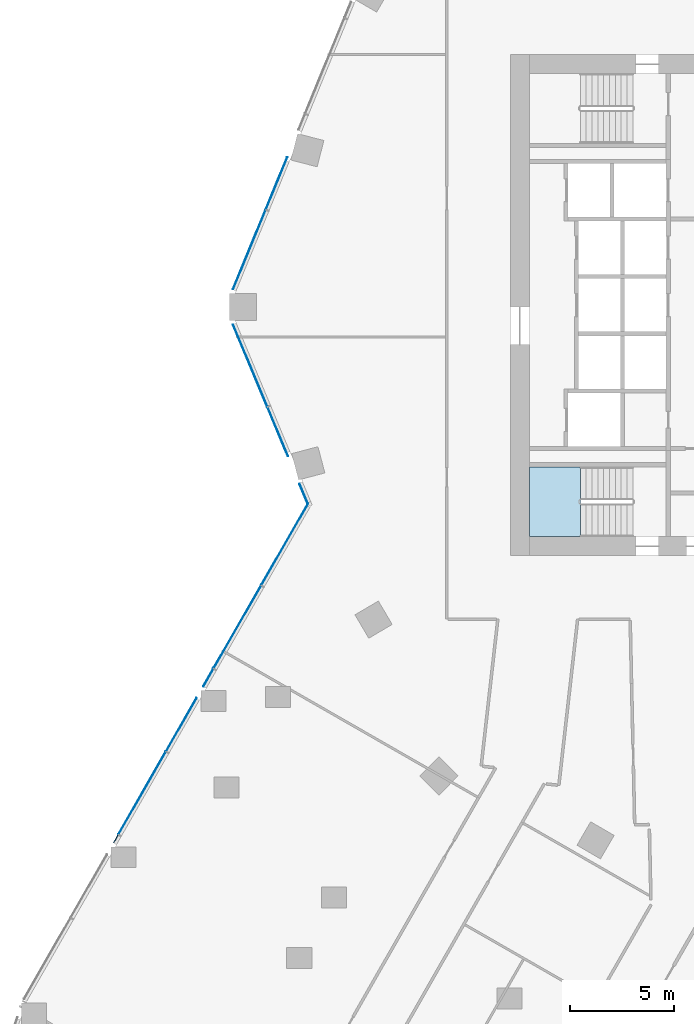
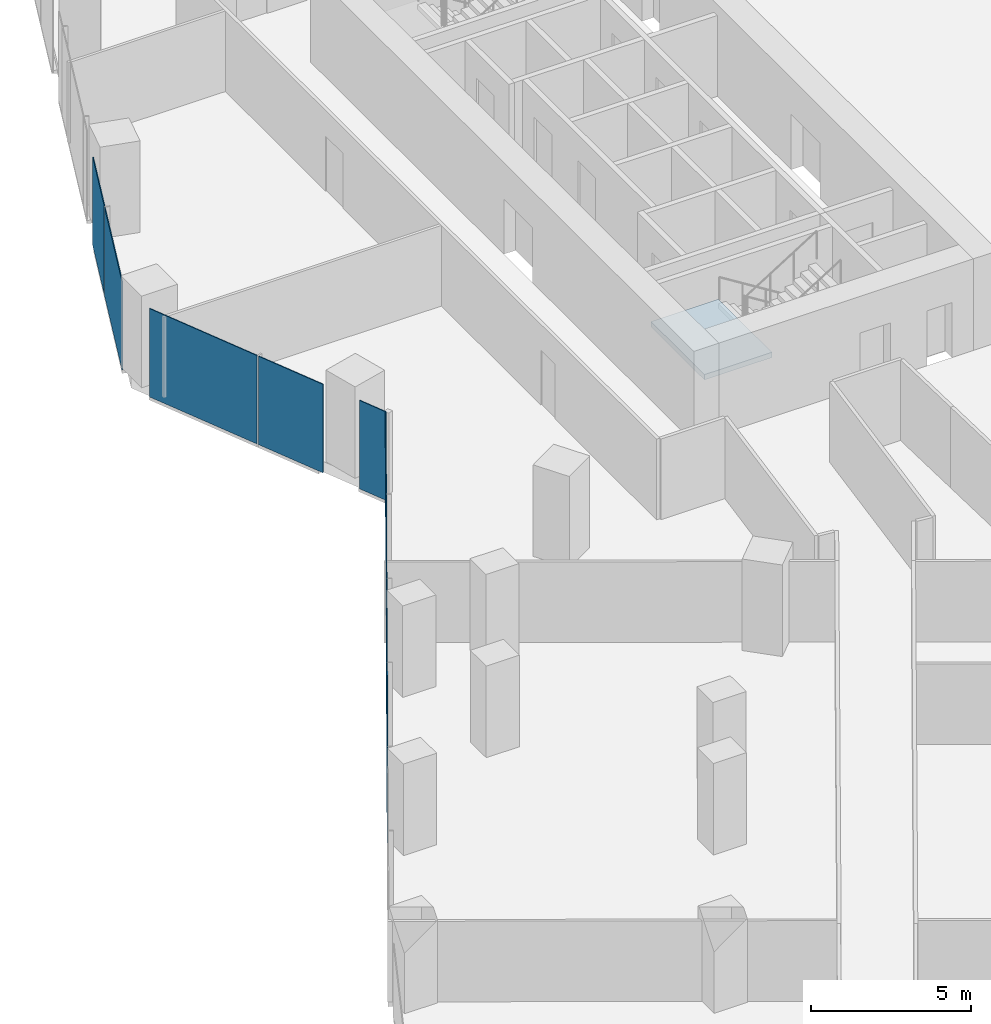
# One storey, part 20 of 34: 11 plates, 1 slab, 4 elements without a shape of their own.
"""IFC4 building model written with IfcOpenShell, lengths in metres."""

from ifc_helpers import new_model, si_unit, direction, frame, origin, origin_2d, place, context, subcontext, project, spatial, polyline, rectangle, outline, extrude, material, layer, layer_set, type_object, element, aggregate, save


model = new_model("IFC4")

# Units and contexts
model_context = context("Model", 3, precision=1e-05, world=origin(), true_north=direction((0.0, 1.0)))
body_context = subcontext(model_context, "Body", "Model", "MODEL_VIEW")
ifc_project = project(units=[si_unit("LENGTHUNIT", "METRE"), si_unit("AREAUNIT", "SQUARE_METRE"), si_unit("VOLUMEUNIT", "CUBIC_METRE"), si_unit("PLANEANGLEUNIT", "RADIAN"), si_unit("MASSUNIT", "GRAM", prefix="KILO")], contexts=[model_context])

# Site, building, storey
site_placement = place(None, origin())
site = spatial("IfcSite", under=ifc_project, at=site_placement, CompositionType="ELEMENT")
building_placement = place(site_placement, origin())
building = spatial("IfcBuilding", under=site, at=building_placement, Name="Orlundy Tower", CompositionType="ELEMENT")
storey_placement = place(building_placement, frame((0.0, 0.0, 112.699951171875)))
storey = spatial("IfcBuildingStorey", under=building, at=storey_placement, Name="L28", CompositionType="ELEMENT", Elevation=112.699951171875)

# Curtain wall, plates
ifc_material_1 = material(Name="Aluminium bronze anodised", Category="aluminium")
curtain_wall_type = type_object("IfcCurtainWallType", Name="CW1 wall", PredefinedType="NOTDEFINED", material=ifc_material_1)
curtain_wall_1_placement = place(storey_placement, origin())
curtain_wall_1 = element("IfcCurtainWall", 1, at=curtain_wall_1_placement, inside=storey, type_object=curtain_wall_type, Name="CW1 run 012", PredefinedType="NOTDEFINED")
ifc_material_2 = material(Name="Tinted glass", Category="glass")
ifc_layer_1 = layer(ifc_material_2, 0.031982421875)
ifc_layer_set_1 = layer_set([ifc_layer_1], Name="CW1 glass panel 32")
plate_type = type_object("IfcPlateType", Name="CW1 glass panel 32", PredefinedType="CURTAIN_PANEL", material=ifc_layer_set_1)
plate_1_placement = place(storey_placement, frame((-37.916259765625, -25.583984375, -0.27978515625), z_axis=(0.0, 0.0, 1.0), x_axis=(0.497468306172, 0.867482152182, 0.0)))
plate_1 = element("IfcPlate", 2, at=plate_1_placement, type_object=plate_type, Name="CW1 panel", PredefinedType="CURTAIN_PANEL", context=body_context, shape_type="SweptSolid", body=[
    extrude(rectangle(XDim=0.417236328125, YDim=0.031982421875, at=origin_2d()), origin(), (0.0, 0.0, 1.0), 3.3798828125),
])
plate_2_placement = place(storey_placement, frame((-36.65869140625, -23.39111328125, -0.27978515625), z_axis=(0.0, 0.0, 1.0), x_axis=(0.497468306172, 0.867482152182, 0.0)))
plate_2 = element("IfcPlate", 3, at=plate_2_placement, type_object=plate_type, Name="CW1 panel", PredefinedType="CURTAIN_PANEL", context=body_context, shape_type="SweptSolid", body=[
    extrude(rectangle(XDim=4.53857421875, YDim=0.031982421875, at=origin_2d()), origin(), (0.0, 0.0, 1.0), 3.3798828125),
])
plate_3_placement = place(storey_placement, frame((-34.775390625, -20.107177734375, -0.27978515625), z_axis=(0.0, 0.0, 1.0), x_axis=(0.497468306172, 0.867482152182, 0.0)))
plate_3 = element("IfcPlate", 4, at=plate_3_placement, type_object=plate_type, Name="CW1 panel", PredefinedType="CURTAIN_PANEL", context=body_context, shape_type="SweptSolid", body=[
    extrude(rectangle(XDim=2.9326171875, YDim=0.031982421875, at=origin_2d()), origin(), (0.0, 0.0, 1.0), 3.3798828125),
])
plate_4_placement = place(storey_placement, frame((-33.486083984375, -17.859130859375, -0.27978515625), z_axis=(0.0, 0.0, 1.0), x_axis=(0.497468306172, 0.867482152182, 0.0)))
plate_4 = element("IfcPlate", 5, at=plate_4_placement, type_object=plate_type, Name="CW1 panel", PredefinedType="CURTAIN_PANEL", context=body_context, shape_type="SweptSolid", body=[
    extrude(rectangle(XDim=0.961181640625, YDim=0.031982421875, at=origin_2d()), origin(), (0.0, 0.0, 1.0), 3.3798828125),
])
plate_5_placement = place(storey_placement, frame((-32.09326171875, -15.43017578125, -0.27978515625), z_axis=(0.0, 0.0, 1.0), x_axis=(0.497468306172, 0.867482152182, 0.0)))
plate_5 = element("IfcPlate", 6, at=plate_5_placement, type_object=plate_type, Name="CW1 panel", PredefinedType="CURTAIN_PANEL", context=body_context, shape_type="SweptSolid", body=[
    extrude(rectangle(XDim=4.53857421875, YDim=0.031982421875, at=origin_2d()), origin(), (0.0, 0.0, 1.0), 3.3798828125),
])
plate_6_placement = place(storey_placement, frame((-29.824462890625, -11.473876953125, -0.27978515625), z_axis=(0.0, 0.0, 1.0), x_axis=(0.497468306172, 0.867482152182, 0.0)))
plate_6 = element("IfcPlate", 7, at=plate_6_placement, type_object=plate_type, Name="CW1 panel", PredefinedType="CURTAIN_PANEL", context=body_context, shape_type="SweptSolid", body=[
    extrude(rectangle(XDim=4.482666015625, YDim=0.031982421875, at=origin_2d()), origin(), (0.0, 0.0, 1.0), 3.3798828125),
])
aggregate(curtain_wall_1, [plate_1, plate_2, plate_3, plate_4, plate_5, plate_6])

curtain_wall_2_placement = place(storey_placement, origin())
curtain_wall_2 = element("IfcCurtainWall", 8, at=curtain_wall_2_placement, inside=storey, type_object=curtain_wall_type, Name="CW1 run 013", PredefinedType="NOTDEFINED")
plate_7_placement = place(storey_placement, frame((-28.9091796875, -9.05126953125, -0.27978515625), z_axis=(0.0, 0.0, 1.0), x_axis=(-0.385343522299, 0.922773195223, 0.0)))
plate_7 = element("IfcPlate", 9, at=plate_7_placement, type_object=plate_type, Name="CW1 panel", PredefinedType="CURTAIN_PANEL", context=body_context, shape_type="SweptSolid", body=[
    extrude(rectangle(XDim=1.036865234375, YDim=0.031982421875, at=origin_2d()), origin(), (0.0, 0.0, 1.0), 3.3798828125),
])
plate_8_placement = place(storey_placement, frame((-30.1513671875, -6.07666015625, -0.27978515625), z_axis=(0.0, 0.0, 1.0), x_axis=(-0.385343522299, 0.922773195223, 0.0)))
plate_8 = element("IfcPlate", 10, at=plate_8_placement, type_object=plate_type, Name="CW1 panel", PredefinedType="CURTAIN_PANEL", context=body_context, shape_type="SweptSolid", body=[
    extrude(rectangle(XDim=2.542236328125, YDim=0.031982421875, at=origin_2d()), origin(), (0.0, 0.0, 1.0), 3.3798828125),
])
plate_9_placement = place(storey_placement, frame((-31.4775390625, -2.901123046875, -0.27978515625), z_axis=(0.0, 0.0, 1.0), x_axis=(-0.385343522299, 0.922773195223, 0.0)))
plate_9 = element("IfcPlate", 11, at=plate_9_placement, type_object=plate_type, Name="CW1 panel", PredefinedType="CURTAIN_PANEL", context=body_context, shape_type="SweptSolid", body=[
    extrude(rectangle(XDim=4.24072265625, YDim=0.031982421875, at=origin_2d()), origin(), (0.0, 0.0, 1.0), 3.3798828125),
])
aggregate(curtain_wall_2, [plate_7, plate_8, plate_9])

curtain_wall_3_placement = place(storey_placement, origin())
curtain_wall_3 = element("IfcCurtainWall", 12, at=curtain_wall_3_placement, inside=storey, type_object=curtain_wall_type, Name="CW1 run 014", PredefinedType="NOTDEFINED")
plate_10_placement = place(storey_placement, frame((-31.522216796875, 2.649169921875, -0.27978515625), z_axis=(0.0, 0.0, 1.0), x_axis=(0.380004927003, 0.924984462277, 0.0)))
plate_10 = element("IfcPlate", 13, at=plate_10_placement, type_object=plate_type, Name="CW1 panel", PredefinedType="CURTAIN_PANEL", context=body_context, shape_type="SweptSolid", body=[
    extrude(rectangle(XDim=4.09423828125, YDim=0.031982421875, at=origin_2d()), origin(), (0.0, 0.0, 1.0), 3.3798828125),
])
plate_11_placement = place(storey_placement, frame((-30.21337890625, 5.835205078125, -0.27978515625), z_axis=(0.0, 0.0, 1.0), x_axis=(0.380004927003, 0.924984462277, 0.0)))
plate_11 = element("IfcPlate", 14, at=plate_11_placement, type_object=plate_type, Name="CW1 panel", PredefinedType="CURTAIN_PANEL", context=body_context, shape_type="SweptSolid", body=[
    extrude(rectangle(XDim=2.694580078125, YDim=0.031982421875, at=origin_2d()), origin(), (0.0, 0.0, 1.0), 3.3798828125),
])
aggregate(curtain_wall_3, [plate_10, plate_11])

# Stair, slab
ifc_material_3 = material(Name="Concrete C50/60", Category="concrete")
stair_type = type_object("IfcStairType", Name="Exit Stair 20 risers", PredefinedType="HALF_TURN_STAIR", material=ifc_material_3)
stair_placement = place(storey_placement, origin())
stair = element("IfcStair", 15, at=stair_placement, inside=storey, type_object=stair_type, Name="L28 Exit Stair ST-W2", PredefinedType="HALF_TURN_STAIR")
ifc_material_4 = material(Name="Concrete C50/60", Category="concrete")
ifc_layer_2 = layer(ifc_material_4, 0.199951171875)
ifc_layer_set_2 = layer_set([ifc_layer_2], Name="Exit Stair Landing")
slab_type = type_object("IfcSlabType", Name="Exit Stair Landing", PredefinedType="LANDING", material=ifc_layer_set_2)
slab_placement = place(storey_placement, frame((0.0, 0.0, 1.550048828125)))
slab = element("IfcSlab", 16, at=slab_placement, type_object=slab_type, Name="ST-W2 landing 1", PredefinedType="LANDING", context=body_context, shape_type="SweptSolid", body=[
    extrude(outline(polyline([(-15.659912109375, -7.75), (-18.10009765625, -7.75), (-18.10009765625, -11.10009765625), (-15.659912109375, -11.10009765625), (-15.659912109375, -7.75)])), origin(), (0.0, 0.0, 1.0), 0.199951171875),
])
aggregate(stair, [slab])

save(model, "model.ifc")
